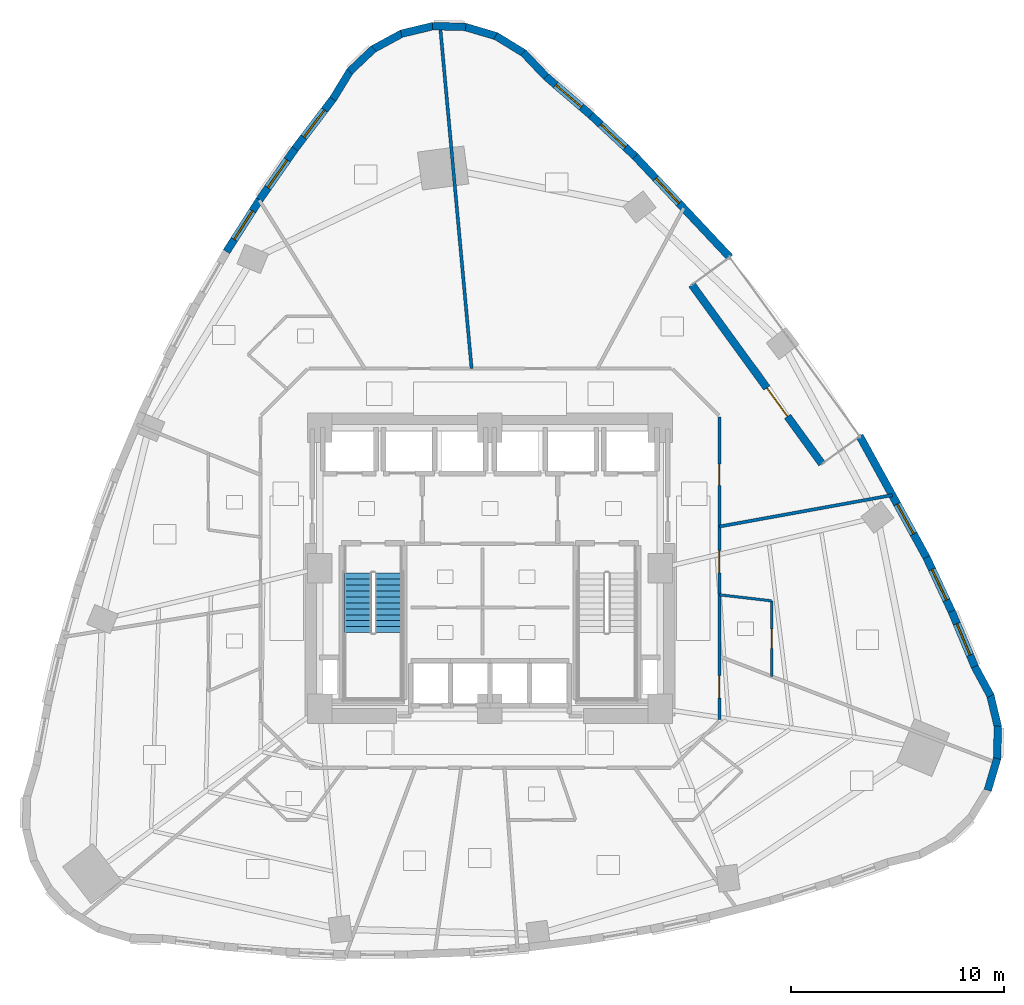
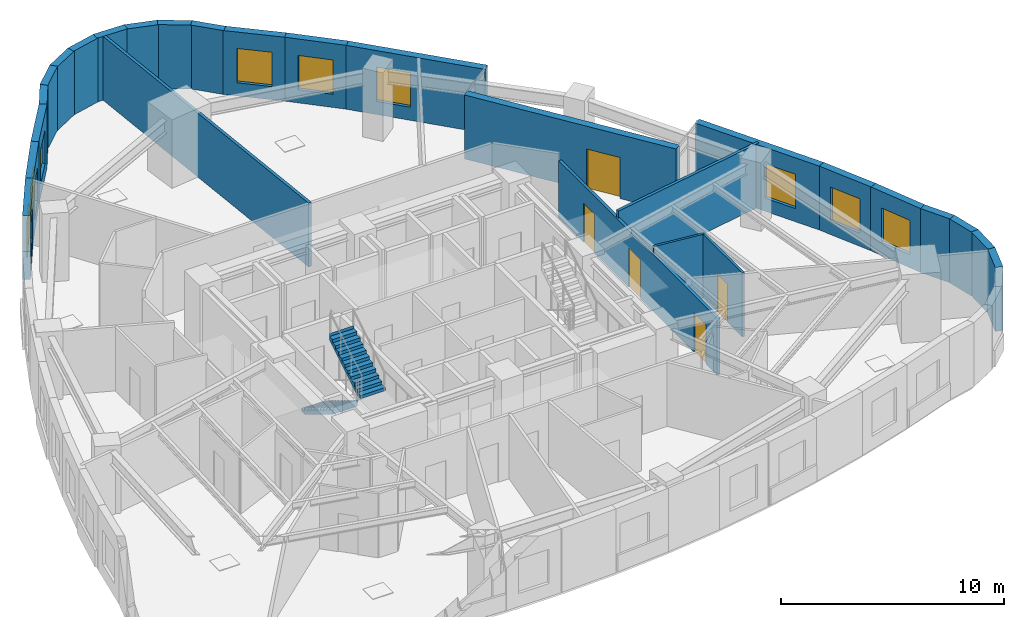
# One storey, part 11 of 15: 27 walls, 9 windows, 5 doors, 2 stair flights, 14 openings, 1 element without a shape of its own.
"""IFC4 building model written with IfcOpenShell, lengths in metres."""

from ifc_helpers import new_model, si_unit, direction, frame, frame_2d, origin, place, context, subcontext, project, spatial, polyline, rectangle, outline, extrude, material, layer, layer_set, type_object, element, fill, aggregate, save


model = new_model("IFC4")

# Units and contexts
model_context = context("Model", 3, precision=1e-05, world=origin(), true_north=direction((0.0, 1.0)))
body_context = subcontext(model_context, "Body", "Model", "MODEL_VIEW")
ifc_project = project(units=[si_unit("LENGTHUNIT", "METRE"), si_unit("AREAUNIT", "SQUARE_METRE"), si_unit("VOLUMEUNIT", "CUBIC_METRE"), si_unit("PLANEANGLEUNIT", "RADIAN"), si_unit("MASSUNIT", "GRAM", prefix="KILO")], contexts=[model_context])

# Site, building, storey
site_placement = place(None, origin())
site = spatial("IfcSite", under=ifc_project, at=site_placement, CompositionType="ELEMENT")
building_placement = place(site_placement, origin())
building = spatial("IfcBuilding", under=site, at=building_placement, Name="Ndelora Gate Hotel", CompositionType="ELEMENT")
storey_placement = place(building_placement, frame((0.0, 0.0, 53.0)))
storey = spatial("IfcBuildingStorey", under=building, at=storey_placement, Name="L12", CompositionType="ELEMENT", Elevation=53.0)

# Wall, opening, door
ifc_material_1 = material(Name="Clay Brick Masonry", Category="masonry")
ifc_layer_1 = layer(ifc_material_1, 0.360107421875)
ifc_layer_set_1 = layer_set([ifc_layer_1], Name="Clay Brick Masonry")
wall_type_1 = type_object("IfcWallType", Name="WL-BRICK-360", PredefinedType="SOLIDWALL", material=ifc_layer_set_1)
wall_1_placement = place(storey_placement, frame((9.484619140625, 13.318603515625, 0.0), z_axis=(0.0, 0.0, 1.0), x_axis=(0.587787785243, -0.809015154073, 0.0)))
wall_1 = element("IfcWall", 1, at=wall_1_placement, inside=storey, type_object=wall_type_1, Name="L12 Sky-Garden Loggia Rear Brick Wall", PredefinedType="SOLIDWALL", context=body_context, shape_type="SweptSolid", body=[
    extrude(rectangle(XDim=10.400146484375, YDim=0.360107421875, at=frame_2d((5.2001953125, 0.0))), origin(), (0.0, 0.0, 1.0), 3.5),
])
opening_1_placement = place(wall_1_placement, frame((6.0, 0.0, 0.0)))
opening_1 = element("IfcOpeningElement", 2, at=opening_1_placement, cuts=wall_1, Name="Opening TD1", PredefinedType="OPENING", context=body_context, shape_type="SweptSolid", body=[
    extrude(rectangle(XDim=1.64990234375, YDim=2.25, at=frame_2d((0.824951171875, 1.125))), frame((0.0, 0.18994140625, 0.0), z_axis=(0.0, -1.0, 0.0), x_axis=(1.0, 0.0, 0.0)), (0.0, 0.0, 1.0), 0.380126953125),
])
ifc_material_2 = material(Name="Architectural Bronze Glazed Door", Category="metal")
door_type_1 = type_object("IfcDoorType", Name="DR-TER-1650", OperationType="DOUBLE_DOOR_SINGLE_SWING", PredefinedType="DOOR", material=ifc_material_2)
door_1_placement = place(opening_1_placement, origin())
door_1 = element("IfcDoor", 3, at=door_1_placement, inside=storey, type_object=door_type_1, Name="L12 Sky-Garden Terrace Double Door TD1", OperationType="DOUBLE_DOOR_SINGLE_SWING", OverallHeight=2.25, OverallWidth=1.64990234375, PredefinedType="DOOR", context=body_context, shape_type="SweptSolid", body=[
    extrude(rectangle(XDim=1.64990234375, YDim=2.25, at=frame_2d((0.824951171875, 1.125))), frame((0.0, 0.02490234375, 0.0), z_axis=(0.0, -1.0, 0.0), x_axis=(1.0, 0.0, 0.0)), (0.0, 0.0, 1.0), 0.050048828125),
])
fill(opening_1, door_1)

# Walls
for number, where, z_axis, x_axis, name in (
    (4, (1.5625, 24.224853515625, 0.0), (0.0, 0.0, 1.0), (0.688285711478, -0.725439714501, 0.0), "L12 Tower Brick Pier-and-Spandrel Wall TWR-1"),
    (5, (0.267333984375, 25.010986328125, 0.0), (0.0, 0.0, 1.0), (0.852578817714, -0.522598660144, 0.0), "L12 Tower Brick Pier-and-Spandrel Wall TWR-2"),
):
    element("IfcWall", number, at=place(storey_placement, frame(where, z_axis=z_axis, x_axis=x_axis)), inside=storey, type_object=wall_type_1, Name=name, PredefinedType="SOLIDWALL", context=body_context, shape_type="SweptSolid", body=[
        extrude(rectangle(XDim=1.56396484375, YDim=0.360107421875, at=frame_2d((0.781982421875, 0.0))), origin(), (0.0, 0.0, 1.0), 3.5),
    ])
wall_2_placement = place(storey_placement, frame((-1.187255859375, 25.43505859375, 0.0), z_axis=(0.0, 0.0, 1.0), x_axis=(0.958804410816, -0.284067072714, 0.0)))
element("IfcWall", 6, at=wall_2_placement, inside=storey, type_object=wall_type_1, Name="L12 Tower Brick Pier-and-Spandrel Wall TWR-3", PredefinedType="SOLIDWALL", context=body_context, shape_type="SweptSolid", body=[
    extrude(rectangle(XDim=1.564208984375, YDim=0.360107421875, at=frame_2d((0.7822265625, 0.0))), origin(), (0.0, 0.0, 1.0), 3.5),
])
wall_3_placement = place(storey_placement, frame((-2.70166015625, 25.46826171875, 0.0), z_axis=(0.0, 0.0, 1.0), x_axis=(0.999656076517, -0.026224581645, 0.0)))
element("IfcWall", 7, at=wall_3_placement, inside=storey, type_object=wall_type_1, Name="L12 Tower Brick Pier-and-Spandrel Wall TWR-4", PredefinedType="SOLIDWALL", context=body_context, shape_type="SweptSolid", body=[
    extrude(rectangle(XDim=1.56396484375, YDim=0.360107421875, at=frame_2d((0.781982421875, 0.0))), origin(), (0.0, 0.0, 1.0), 3.5),
])
for number, where, z_axis, x_axis, name in (
    (8, (-4.17333984375, 25.1083984375, 0.0), (0.0, 0.0, 1.0), (0.972394385461, 0.233343435998, 0.0), "L12 Tower Brick Pier-and-Spandrel Wall TWR-5"),
    (9, (-5.501708984375, 24.379638671875, 0.0), (0.0, 0.0, 1.0), (0.878842213123, 0.477112528062, 0.0), "L12 Tower Brick Pier-and-Spandrel Wall TWR-6"),
):
    element("IfcWall", number, at=place(storey_placement, frame(where, z_axis=z_axis, x_axis=x_axis)), inside=storey, type_object=wall_type_1, Name=name, PredefinedType="SOLIDWALL", context=body_context, shape_type="SweptSolid", body=[
        extrude(rectangle(XDim=1.564208984375, YDim=0.360107421875, at=frame_2d((0.7822265625, 0.0))), origin(), (0.0, 0.0, 1.0), 3.5),
    ])
for number, where, z_axis, x_axis, name in (
    (10, (-6.595947265625, 23.332275390625, 0.0), (0.0, 0.0, 1.0), (0.725439714501, 0.688285711478, 0.0), "L12 Tower Brick Pier-and-Spandrel Wall TWR-7"),
    (11, (-7.382080078125, 22.037109375, 0.0), (0.0, 0.0, 1.0), (0.522598660144, 0.852578817714, 0.0), "L12 Tower Brick Pier-and-Spandrel Wall TWR-8"),
):
    element("IfcWall", number, at=place(storey_placement, frame(where, z_axis=z_axis, x_axis=x_axis)), inside=storey, type_object=wall_type_1, Name=name, PredefinedType="SOLIDWALL", context=body_context, shape_type="SweptSolid", body=[
        extrude(rectangle(XDim=1.56396484375, YDim=0.360107421875, at=frame_2d((0.781982421875, 0.0))), origin(), (0.0, 0.0, 1.0), 3.5),
    ])

# Wall, opening, window
wall_4_placement = place(storey_placement, frame((-9.1611328125, 19.7001953125, 0.0), z_axis=(0.0, 0.0, 1.0), x_axis=(0.605023164489, 0.796207868858, 0.0)))
wall_4 = element("IfcWall", 12, at=wall_4_placement, inside=storey, type_object=wall_type_1, Name="L12 Tower Brick Pier-and-Spandrel Wall TWR-9", PredefinedType="SOLIDWALL", context=body_context, shape_type="SweptSolid", body=[
    extrude(rectangle(XDim=2.98681640625, YDim=0.360107421875, at=frame_2d((1.493408203125, 0.0))), origin(), (0.0, 0.0, 1.0), 3.5),
])
opening_2_placement = place(wall_4_placement, frame((0.693603515625, 0.0, 0.719970703125)))
opening_2 = element("IfcOpeningElement", 13, at=opening_2_placement, cuts=wall_4, Name="Opening W03", PredefinedType="OPENING", context=body_context, shape_type="SweptSolid", body=[
    extrude(rectangle(XDim=1.60009765625, YDim=1.8798828125, at=frame_2d((0.800048828125, 0.93994140625))), frame((0.0, 0.18994140625, 0.0), z_axis=(0.0, -1.0, 0.0), x_axis=(1.0, 0.0, 0.0)), (0.0, 0.0, 1.0), 0.380126953125),
])
ifc_material_3 = material(Name="Insulated Low-E Double Glazing in Bronze Aluminium Frame", Category="aluminium")
window_type_1 = type_object("IfcWindowType", Name="WN-CORN-2100", PartitioningType="SINGLE_PANEL", PredefinedType="WINDOW", material=ifc_material_3)
window_1_placement = place(opening_2_placement, origin())
window_1 = element("IfcWindow", 14, at=window_1_placement, inside=storey, type_object=window_type_1, Name="L12 Deep-Set Brick-Pier Window W03", OverallHeight=1.8798828125, OverallWidth=1.60009765625, PartitioningType="SINGLE_PANEL", PredefinedType="WINDOW", context=body_context, shape_type="SweptSolid", body=[
    extrude(rectangle(XDim=1.60009765625, YDim=1.8798828125, at=frame_2d((0.800048828125, 0.93994140625))), frame((0.0, 0.030029296875, 0.0), z_axis=(0.0, -1.0, 0.0), x_axis=(1.0, 0.0, 0.0)), (0.0, 0.0, 1.0), 0.06005859375),
])
fill(opening_2, window_1)

wall_5_placement = place(storey_placement, frame((-10.82568359375, 17.311279296875, 0.0), z_axis=(0.0, 0.0, 1.0), x_axis=(0.572022980857, 0.820237593245, 0.0)))
wall_5 = element("IfcWall", 15, at=wall_5_placement, inside=storey, type_object=wall_type_1, Name="L12 Tower Brick Pier-and-Spandrel Wall TWR-10", PredefinedType="SOLIDWALL", context=body_context, shape_type="SweptSolid", body=[
    extrude(rectangle(XDim=2.961669921875, YDim=0.360107421875, at=frame_2d((1.48095703125, 0.0))), origin(), (0.0, 0.0, 1.0), 3.5),
])
opening_3_placement = place(wall_5_placement, frame((0.6806640625, 0.0, 0.719970703125)))
opening_3 = element("IfcOpeningElement", 16, at=opening_3_placement, cuts=wall_5, Name="Opening W01", PredefinedType="OPENING", context=body_context, shape_type="SweptSolid", body=[
    extrude(rectangle(XDim=1.60009765625, YDim=1.8798828125, at=frame_2d((0.800048828125, 0.93994140625))), frame((0.0, 0.18994140625, 0.0), z_axis=(0.0, -1.0, 0.0), x_axis=(1.0, 0.0, 0.0)), (0.0, 0.0, 1.0), 0.380126953125),
])
window_type_2 = type_object("IfcWindowType", Name="WN-DEEP-1600", PartitioningType="SINGLE_PANEL", PredefinedType="WINDOW", material=ifc_material_3)
window_2_placement = place(opening_3_placement, origin())
window_2 = element("IfcWindow", 17, at=window_2_placement, inside=storey, type_object=window_type_2, Name="L12 Deep-Set Brick-Pier Window W01", OverallHeight=1.8798828125, OverallWidth=1.60009765625, PartitioningType="SINGLE_PANEL", PredefinedType="WINDOW", context=body_context, shape_type="SweptSolid", body=[
    extrude(rectangle(XDim=1.60009765625, YDim=1.8798828125, at=frame_2d((0.800048828125, 0.93994140625))), frame((0.0, 0.030029296875, 0.0), z_axis=(0.0, -1.0, 0.0), x_axis=(1.0, 0.0, 0.0)), (0.0, 0.0, 1.0), 0.06005859375),
])
fill(opening_3, window_2)

wall_6_placement = place(storey_placement, frame((-12.37841796875, 14.872802734375, 0.0), z_axis=(0.0, 0.0, 1.0), x_axis=(0.537417887212, 0.843316082204, 0.0)))
wall_6 = element("IfcWall", 18, at=wall_6_placement, inside=storey, type_object=wall_type_1, Name="L12 Tower Brick Pier-and-Spandrel Wall TWR-11", PredefinedType="SOLIDWALL", context=body_context, shape_type="SweptSolid", body=[
    extrude(rectangle(XDim=2.94091796875, YDim=0.360107421875, at=frame_2d((1.470458984375, 0.0))), origin(), (0.0, 0.0, 1.0), 3.5),
])
opening_4_placement = place(wall_6_placement, frame((0.67041015625, 0.0, 0.719970703125)))
opening_4 = element("IfcOpeningElement", 19, at=opening_4_placement, cuts=wall_6, Name="Opening W01", PredefinedType="OPENING", context=body_context, shape_type="SweptSolid", body=[
    extrude(rectangle(XDim=1.60009765625, YDim=1.8798828125, at=frame_2d((0.800048828125, 0.93994140625))), frame((0.0, 0.18994140625, 0.0), z_axis=(0.0, -1.0, 0.0), x_axis=(1.0, 0.0, 0.0)), (0.0, 0.0, 1.0), 0.380126953125),
])
window_3_placement = place(opening_4_placement, origin())
window_3 = element("IfcWindow", 20, at=window_3_placement, inside=storey, type_object=window_type_2, Name="L12 Deep-Set Brick-Pier Window W01", OverallHeight=1.8798828125, OverallWidth=1.60009765625, PartitioningType="SINGLE_PANEL", PredefinedType="WINDOW", context=body_context, shape_type="SweptSolid", body=[
    extrude(rectangle(XDim=1.60009765625, YDim=1.8798828125, at=frame_2d((0.800048828125, 0.93994140625))), frame((0.0, 0.030029296875, 0.0), z_axis=(0.0, -1.0, 0.0), x_axis=(1.0, 0.0, 0.0)), (0.0, 0.0, 1.0), 0.06005859375),
])
fill(opening_4, window_3)

# Walls
for number, where, z_axis, x_axis, name in (
    (21, (23.8310546875, -8.93994140625, 0.0), (0.0, 0.0, 1.0), (-0.284067072714, -0.958804410816, 0.0), "L12 Tower Brick Pier-and-Spandrel Wall TWR-45"),
    (22, (23.8642578125, -7.42529296875, 0.0), (0.0, 0.0, 1.0), (-0.026220490068, -0.999656183846, 0.0), "L12 Tower Brick Pier-and-Spandrel Wall TWR-46"),
    (23, (23.50439453125, -5.95361328125, 0.0), (0.0, 0.0, 1.0), (0.233343435998, -0.972394385461, 0.0), "L12 Tower Brick Pier-and-Spandrel Wall TWR-47"),
):
    element("IfcWall", number, at=place(storey_placement, frame(where, z_axis=z_axis, x_axis=x_axis)), inside=storey, type_object=wall_type_1, Name=name, PredefinedType="SOLIDWALL", context=body_context, shape_type="SweptSolid", body=[
        extrude(rectangle(XDim=1.564208984375, YDim=0.360107421875, at=frame_2d((0.7822265625, 0.0))), origin(), (0.0, 0.0, 1.0), 3.5),
    ])
wall_7_placement = place(storey_placement, frame((22.77587890625, -4.62548828125, 0.0), z_axis=(0.0, 0.0, 1.0), x_axis=(0.477057413098, -0.878872132115, 0.0)))
element("IfcWall", 24, at=wall_7_placement, inside=storey, type_object=wall_type_1, Name="L12 Tower Brick Pier-and-Spandrel Wall TWR-48", PredefinedType="SOLIDWALL", context=body_context, shape_type="SweptSolid", body=[
    extrude(rectangle(XDim=1.56396484375, YDim=0.360107421875, at=frame_2d((0.781982421875, 0.0))), origin(), (0.0, 0.0, 1.0), 3.5),
])

# Wall, opening, window
wall_8_placement = place(storey_placement, frame((21.688720703125, -2.023193359375, 0.0), z_axis=(0.0, 0.0, 1.0), x_axis=(0.386287899082, -0.922378262441, 0.0)))
wall_8 = element("IfcWall", 25, at=wall_8_placement, inside=storey, type_object=wall_type_1, Name="L12 Tower Brick Pier-and-Spandrel Wall TWR-49", PredefinedType="SOLIDWALL", context=body_context, shape_type="SweptSolid", body=[
    extrude(rectangle(XDim=2.869873046875, YDim=0.360107421875, at=frame_2d((1.43505859375, 0.0))), origin(), (0.0, 0.0, 1.0), 3.5),
])
opening_5_placement = place(wall_8_placement, frame((0.635009765625, 0.0, 0.719970703125)))
opening_5 = element("IfcOpeningElement", 26, at=opening_5_placement, cuts=wall_8, Name="Opening W03", PredefinedType="OPENING", context=body_context, shape_type="SweptSolid", body=[
    extrude(rectangle(XDim=1.60009765625, YDim=1.8798828125, at=frame_2d((0.800048828125, 0.93994140625))), frame((0.0, 0.18994140625, 0.0), z_axis=(0.0, -1.0, 0.0), x_axis=(1.0, 0.0, 0.0)), (0.0, 0.0, 1.0), 0.380126953125),
])
window_4_placement = place(opening_5_placement, origin())
window_4 = element("IfcWindow", 27, at=window_4_placement, inside=storey, type_object=window_type_1, Name="L12 Deep-Set Brick-Pier Window W03", OverallHeight=1.8798828125, OverallWidth=1.60009765625, PartitioningType="SINGLE_PANEL", PredefinedType="WINDOW", context=body_context, shape_type="SweptSolid", body=[
    extrude(rectangle(XDim=1.60009765625, YDim=1.8798828125, at=frame_2d((0.800048828125, 0.93994140625))), frame((0.0, 0.030029296875, 0.0), z_axis=(0.0, -1.0, 0.0), x_axis=(1.0, 0.0, 0.0)), (0.0, 0.0, 1.0), 0.06005859375),
])
fill(opening_5, window_4)

wall_9_placement = place(storey_placement, frame((20.50732421875, 0.511474609375, 0.0), z_axis=(0.0, 0.0, 1.0), x_axis=(0.422134095938, -0.906533399851, 0.0)))
wall_9 = element("IfcWall", 28, at=wall_9_placement, inside=storey, type_object=wall_type_1, Name="L12 Tower Brick Pier-and-Spandrel Wall TWR-50", PredefinedType="SOLIDWALL", context=body_context, shape_type="SweptSolid", body=[
    extrude(rectangle(XDim=2.8466796875, YDim=0.360107421875, at=frame_2d((1.42333984375, 0.0))), origin(), (0.0, 0.0, 1.0), 3.5),
])
opening_6_placement = place(wall_9_placement, frame((0.623291015625, 0.0, 0.719970703125)))
opening_6 = element("IfcOpeningElement", 29, at=opening_6_placement, cuts=wall_9, Name="Opening W01", PredefinedType="OPENING", context=body_context, shape_type="SweptSolid", body=[
    extrude(rectangle(XDim=1.60009765625, YDim=1.8798828125, at=frame_2d((0.800048828125, 0.93994140625))), frame((0.0, 0.18994140625, 0.0), z_axis=(0.0, -1.0, 0.0), x_axis=(1.0, 0.0, 0.0)), (0.0, 0.0, 1.0), 0.380126953125),
])
window_5_placement = place(opening_6_placement, origin())
window_5 = element("IfcWindow", 30, at=window_5_placement, inside=storey, type_object=window_type_2, Name="L12 Deep-Set Brick-Pier Window W01", OverallHeight=1.8798828125, OverallWidth=1.60009765625, PartitioningType="SINGLE_PANEL", PredefinedType="WINDOW", context=body_context, shape_type="SweptSolid", body=[
    extrude(rectangle(XDim=1.60009765625, YDim=1.8798828125, at=frame_2d((0.800048828125, 0.93994140625))), frame((0.0, 0.030029296875, 0.0), z_axis=(0.0, -1.0, 0.0), x_axis=(1.0, 0.0, 0.0)), (0.0, 0.0, 1.0), 0.06005859375),
])
fill(opening_6, window_5)

wall_10_placement = place(storey_placement, frame((17.365478515625, 6.2197265625, 0.0), z_axis=(0.0, 0.0, 1.0), x_axis=(0.481970134715, -0.876187644995, 0.0)))
wall_10 = element("IfcWall", 31, at=wall_10_placement, inside=storey, type_object=wall_type_1, Name="L12 Tower Brick Pier-and-Spandrel Wall TWR-51", PredefinedType="SOLIDWALL", context=body_context, shape_type="SweptSolid", body=[
    extrude(rectangle(XDim=6.56591796875, YDim=0.360107421875, at=frame_2d((3.282958984375, 0.0))), origin(), (0.0, 0.0, 1.0), 3.5),
])
opening_7_placement = place(wall_10_placement, frame((3.659912109375, 0.0, 0.719970703125)))
opening_7 = element("IfcOpeningElement", 32, at=opening_7_placement, cuts=wall_10, Name="Opening W01", PredefinedType="OPENING", context=body_context, shape_type="SweptSolid", body=[
    extrude(rectangle(XDim=1.60009765625, YDim=1.8798828125, at=frame_2d((0.800048828125, 0.93994140625))), frame((0.0, 0.18994140625, 0.0), z_axis=(0.0, -1.0, 0.0), x_axis=(1.0, 0.0, 0.0)), (0.0, 0.0, 1.0), 0.380126953125),
])
window_6_placement = place(opening_7_placement, origin())
window_6 = element("IfcWindow", 33, at=window_6_placement, inside=storey, type_object=window_type_2, Name="L12 Deep-Set Brick-Pier Window W01", OverallHeight=1.8798828125, OverallWidth=1.60009765625, PartitioningType="SINGLE_PANEL", PredefinedType="WINDOW", context=body_context, shape_type="SweptSolid", body=[
    extrude(rectangle(XDim=1.60009765625, YDim=1.8798828125, at=frame_2d((0.800048828125, 0.93994140625))), frame((0.0, 0.030029296875, 0.0), z_axis=(0.0, -1.0, 0.0), x_axis=(1.0, 0.0, 0.0)), (0.0, 0.0, 1.0), 0.06005859375),
])
fill(opening_7, window_6)

wall_11_placement = place(storey_placement, frame((6.7880859375, 19.380859375, 0.0), z_axis=(0.0, 0.0, 1.0), x_axis=(0.684367736507, -0.729137025002, 0.0)))
wall_11 = element("IfcWall", 34, at=wall_11_placement, inside=storey, type_object=wall_type_1, Name="L12 Tower Brick Pier-and-Spandrel Wall TWR-56", PredefinedType="SOLIDWALL", context=body_context, shape_type="SweptSolid", body=[
    extrude(rectangle(XDim=6.565673828125, YDim=0.360107421875, at=frame_2d((3.28271484375, 0.0))), origin(), (0.0, 0.0, 1.0), 3.5),
])
opening_8_placement = place(wall_11_placement, frame((1.4599609375, 0.0, 0.719970703125)))
opening_8 = element("IfcOpeningElement", 35, at=opening_8_placement, cuts=wall_11, Name="Opening W01", PredefinedType="OPENING", context=body_context, shape_type="SweptSolid", body=[
    extrude(rectangle(XDim=1.60009765625, YDim=1.8798828125, at=frame_2d((0.800048828125, 0.93994140625))), frame((0.0, 0.18994140625, 0.0), z_axis=(0.0, -1.0, 0.0), x_axis=(1.0, 0.0, 0.0)), (0.0, 0.0, 1.0), 0.380126953125),
])
window_7_placement = place(opening_8_placement, origin())
window_7 = element("IfcWindow", 36, at=window_7_placement, inside=storey, type_object=window_type_2, Name="L12 Deep-Set Brick-Pier Window W01", OverallHeight=1.8798828125, OverallWidth=1.60009765625, PartitioningType="SINGLE_PANEL", PredefinedType="WINDOW", context=body_context, shape_type="SweptSolid", body=[
    extrude(rectangle(XDim=1.60009765625, YDim=1.8798828125, at=frame_2d((0.800048828125, 0.93994140625))), frame((0.0, 0.030029296875, 0.0), z_axis=(0.0, -1.0, 0.0), x_axis=(1.0, 0.0, 0.0)), (0.0, 0.0, 1.0), 0.06005859375),
])
fill(opening_8, window_7)

wall_12_placement = place(storey_placement, frame((4.74072265625, 21.28564453125, 0.0), z_axis=(0.0, 0.0, 1.0), x_axis=(0.731750871634, -0.68157219857, 0.0)))
wall_12 = element("IfcWall", 37, at=wall_12_placement, inside=storey, type_object=wall_type_1, Name="L12 Tower Brick Pier-and-Spandrel Wall TWR-57", PredefinedType="SOLIDWALL", context=body_context, shape_type="SweptSolid", body=[
    extrude(rectangle(XDim=2.84619140625, YDim=0.360107421875, at=frame_2d((1.423095703125, 0.0))), origin(), (0.0, 0.0, 1.0), 3.5),
])
opening_9_placement = place(wall_12_placement, frame((0.623291015625, 0.0, 0.719970703125)))
opening_9 = element("IfcOpeningElement", 38, at=opening_9_placement, cuts=wall_12, Name="Opening W03", PredefinedType="OPENING", context=body_context, shape_type="SweptSolid", body=[
    extrude(rectangle(XDim=1.60009765625, YDim=1.8798828125, at=frame_2d((0.800048828125, 0.93994140625))), frame((0.0, 0.18994140625, 0.0), z_axis=(0.0, -1.0, 0.0), x_axis=(1.0, 0.0, 0.0)), (0.0, 0.0, 1.0), 0.380126953125),
])
window_8_placement = place(opening_9_placement, origin())
window_8 = element("IfcWindow", 39, at=window_8_placement, inside=storey, type_object=window_type_1, Name="L12 Deep-Set Brick-Pier Window W03", OverallHeight=1.8798828125, OverallWidth=1.60009765625, PartitioningType="SINGLE_PANEL", PredefinedType="WINDOW", context=body_context, shape_type="SweptSolid", body=[
    extrude(rectangle(XDim=1.60009765625, YDim=1.8798828125, at=frame_2d((0.800048828125, 0.93994140625))), frame((0.0, 0.030029296875, 0.0), z_axis=(0.0, -1.0, 0.0), x_axis=(1.0, 0.0, 0.0)), (0.0, 0.0, 1.0), 0.06005859375),
])
fill(opening_9, window_8)

wall_13_placement = place(storey_placement, frame((2.602783203125, 23.124755859375, 0.0), z_axis=(0.0, 0.0, 1.0), x_axis=(0.757915995352, -0.652352162554, 0.0)))
wall_13 = element("IfcWall", 40, at=wall_13_placement, inside=storey, type_object=wall_type_1, Name="L12 Tower Brick Pier-and-Spandrel Wall TWR-58", PredefinedType="SOLIDWALL", context=body_context, shape_type="SweptSolid", body=[
    extrude(rectangle(XDim=2.8701171875, YDim=0.360107421875, at=frame_2d((1.43505859375, 0.0))), origin(), (0.0, 0.0, 1.0), 3.5),
])
opening_10_placement = place(wall_13_placement, frame((0.635009765625, 0.0, 0.719970703125)))
opening_10 = element("IfcOpeningElement", 41, at=opening_10_placement, cuts=wall_13, Name="Opening W01", PredefinedType="OPENING", context=body_context, shape_type="SweptSolid", body=[
    extrude(rectangle(XDim=1.60009765625, YDim=1.8798828125, at=frame_2d((0.800048828125, 0.93994140625))), frame((0.0, 0.18994140625, 0.0), z_axis=(0.0, -1.0, 0.0), x_axis=(1.0, 0.0, 0.0)), (0.0, 0.0, 1.0), 0.380126953125),
])
window_9_placement = place(opening_10_placement, origin())
window_9 = element("IfcWindow", 42, at=window_9_placement, inside=storey, type_object=window_type_2, Name="L12 Deep-Set Brick-Pier Window W01", OverallHeight=1.8798828125, OverallWidth=1.60009765625, PartitioningType="SINGLE_PANEL", PredefinedType="WINDOW", context=body_context, shape_type="SweptSolid", body=[
    extrude(rectangle(XDim=1.60009765625, YDim=1.8798828125, at=frame_2d((0.800048828125, 0.93994140625))), frame((0.0, 0.030029296875, 0.0), z_axis=(0.0, -1.0, 0.0), x_axis=(1.0, 0.0, 0.0)), (0.0, 0.0, 1.0), 0.06005859375),
])
fill(opening_10, window_9)

# Wall, openings, doors
ifc_material_4 = material(Name="Fire-Rated Gypsum Stud Partition", Category="gypsum")
ifc_layer_2 = layer(ifc_material_4, 0.14990234375)
ifc_layer_set_2 = layer_set([ifc_layer_2], Name="Fire-Rated Gypsum Stud Partition")
wall_type_2 = type_object("IfcWallType", Name="WL-PART-150", PredefinedType="PARTITIONING", material=ifc_layer_set_2)
wall_14_placement = place(storey_placement, frame((10.780029296875, 7.110107421875, 0.0), z_axis=(0.0, 0.0, 1.0), x_axis=(0.0, -1.0, 0.0)))
wall_14 = element("IfcWall", 43, at=wall_14_placement, inside=storey, type_object=wall_type_2, Name="L12 Interior Wall IW-5", PredefinedType="PARTITIONING", context=body_context, shape_type="SweptSolid", body=[
    extrude(rectangle(XDim=14.22021484375, YDim=0.14990234375, at=frame_2d((7.110107421875, 0.0))), origin(), (0.0, 0.0, 1.0), 3.1201171875),
])
opening_11_placement = place(wall_14_placement, frame((2.216796875, 0.0, 0.0)))
opening_11 = element("IfcOpeningElement", 44, at=opening_11_placement, cuts=wall_14, Name="Opening D01", PredefinedType="OPENING", context=body_context, shape_type="SweptSolid", body=[
    extrude(rectangle(XDim=1.0, YDim=2.14990234375, at=frame_2d((0.5, 1.074951171875))), frame((0.0, 0.0849609375, 0.0), z_axis=(0.0, -1.0, 0.0), x_axis=(1.0, 0.0, 0.0)), (0.0, 0.0, 1.0), 0.169921875),
])
opening_12_placement = place(wall_14_placement, frame((6.27587890625, 0.0, 0.0)))
opening_12 = element("IfcOpeningElement", 45, at=opening_12_placement, cuts=wall_14, Name="Opening D07", PredefinedType="OPENING", context=body_context, shape_type="SweptSolid", body=[
    extrude(rectangle(XDim=1.06005859375, YDim=2.14990234375, at=frame_2d((0.530029296875, 1.074951171875))), frame((0.0, 0.0849609375, 0.0), z_axis=(0.0, -1.0, 0.0), x_axis=(1.0, 0.0, 0.0)), (0.0, 0.0, 1.0), 0.169921875),
])
opening_13_placement = place(wall_14_placement, frame((12.156005859375, 0.0, 0.0)))
opening_13 = element("IfcOpeningElement", 46, at=opening_13_placement, cuts=wall_14, Name="Opening D07", PredefinedType="OPENING", context=body_context, shape_type="SweptSolid", body=[
    extrude(rectangle(XDim=1.06005859375, YDim=2.14990234375, at=frame_2d((0.530029296875, 1.074951171875))), frame((0.0, 0.0849609375, 0.0), z_axis=(0.0, -1.0, 0.0), x_axis=(1.0, 0.0, 0.0)), (0.0, 0.0, 1.0), 0.169921875),
])
ifc_material_5 = material(Name="Acoustic Hardwood Guest Entrance Door", Category="wood")
door_type_2 = type_object("IfcDoorType", Name="DR-COR-1000", OperationType="SINGLE_SWING_LEFT", PredefinedType="DOOR", material=ifc_material_5)
door_2_placement = place(opening_11_placement, origin())
door_2 = element("IfcDoor", 47, at=door_2_placement, inside=storey, type_object=door_type_2, Name="L12 Sky Garden Tea Dining Room Entrance Door", OperationType="SINGLE_SWING_LEFT", OverallHeight=2.14990234375, OverallWidth=1.0, PredefinedType="DOOR", context=body_context, shape_type="SweptSolid", body=[
    extrude(rectangle(XDim=1.0, YDim=2.14990234375, at=frame_2d((0.5, 1.074951171875))), frame((0.0, 0.02490234375, 0.0), z_axis=(0.0, -1.0, 0.0), x_axis=(1.0, 0.0, 0.0)), (0.0, 0.0, 1.0), 0.050048828125),
])
fill(opening_11, door_2)
ifc_material_6 = material(Name="Diplomatic Suite Acoustic Entrance Door", Category="wood")
door_type_3 = type_object("IfcDoorType", Name="DR-SUITE-1060", OperationType="SINGLE_SWING_LEFT", PredefinedType="DOOR", material=ifc_material_6)
door_3_placement = place(opening_12_placement, origin())
door_3 = element("IfcDoor", 48, at=door_3_placement, inside=storey, type_object=door_type_3, Name="L12 Twin Junior Suite 1503 Entrance Door", OperationType="SINGLE_SWING_LEFT", OverallHeight=2.14990234375, OverallWidth=1.06005859375, PredefinedType="DOOR", context=body_context, shape_type="SweptSolid", body=[
    extrude(rectangle(XDim=1.06005859375, YDim=2.14990234375, at=frame_2d((0.530029296875, 1.074951171875))), frame((0.0, 0.02490234375, 0.0), z_axis=(0.0, -1.0, 0.0), x_axis=(1.0, 0.0, 0.0)), (0.0, 0.0, 1.0), 0.050048828125),
])
fill(opening_12, door_3)
door_4_placement = place(opening_13_placement, origin())
door_4 = element("IfcDoor", 49, at=door_4_placement, inside=storey, type_object=door_type_3, Name="L12 Deluxe King Junior Suite 1502 Entrance Door", OperationType="SINGLE_SWING_RIGHT", OverallHeight=2.14990234375, OverallWidth=1.06005859375, PredefinedType="DOOR", context=body_context, shape_type="SweptSolid", body=[
    extrude(rectangle(XDim=1.06005859375, YDim=2.14990234375, at=frame_2d((0.530029296875, 1.074951171875))), frame((0.0, 0.02490234375, 0.0), z_axis=(0.0, -1.0, 0.0), x_axis=(1.0, 0.0, 0.0)), (0.0, 0.0, 1.0), 0.050048828125),
])
fill(opening_13, door_4)

# Walls
wall_15_placement = place(storey_placement, frame((10.780029296875, 1.956298828125, 0.0), z_axis=(0.0, 0.0, 1.0), x_axis=(0.983928549694, 0.178562619542, 0.0)))
element("IfcWall", 50, at=wall_15_placement, inside=storey, type_object=wall_type_2, Name="L12 Interior Wall IW-5", PredefinedType="PARTITIONING", context=body_context, shape_type="SweptSolid", body=[
    extrude(rectangle(XDim=8.252685546875, YDim=0.14990234375, at=frame_2d((4.12646484375, 0.0))), origin(), (0.0, 0.0, 1.0), 3.5),
])
wall_16_placement = place(storey_placement, frame((-0.86279296875, 9.3798828125, 0.0), z_axis=(0.0, 0.0, 1.0), x_axis=(-0.091567710563, 0.99579885237, 0.0)))
element("IfcWall", 51, at=wall_16_placement, inside=storey, type_object=wall_type_2, Name="L12 Interior Wall IW-5", PredefinedType="PARTITIONING", context=body_context, shape_type="SweptSolid", body=[
    extrude(rectangle(XDim=16.146728515625, YDim=0.14990234375, at=frame_2d((8.0732421875, 0.0))), origin(), (0.0, 0.0, 1.0), 3.5),
])
ifc_material_7 = material(Name="Moisture-Resistant Bathroom Tile Partition", Category="gypsum")
ifc_layer_3 = layer(ifc_material_7, 0.1201171875)
ifc_layer_set_3 = layer_set([ifc_layer_3], Name="Moisture-Resistant Bathroom Tile Partition")
wall_type_3 = type_object("IfcWallType", Name="WL-WET-120", PredefinedType="PARTITIONING", material=ifc_layer_set_3)
wall_17_placement = place(storey_placement, frame((13.22998046875, -1.53515625, 0.0), z_axis=(0.0, 0.0, 1.0), x_axis=(-0.993328492048, 0.115319152291, 0.0)))
element("IfcWall", 52, at=wall_17_placement, inside=storey, type_object=wall_type_3, Name="L12 Interior Wall IW-7", PredefinedType="PARTITIONING", context=body_context, shape_type="SweptSolid", body=[
    extrude(rectangle(XDim=2.46630859375, YDim=0.1201171875, at=frame_2d((1.233154296875, 0.0))), origin(), (0.0, 0.0, 1.0), 3.5),
])

# Wall, opening, door
wall_18_placement = place(storey_placement, frame((13.22998046875, -1.53515625, 0.0), z_axis=(0.0, 0.0, 1.0), x_axis=(0.0, -1.0, 0.0)))
wall_18 = element("IfcWall", 53, at=wall_18_placement, inside=storey, type_object=wall_type_3, Name="L12 Interior Wall IW-7", PredefinedType="PARTITIONING", context=body_context, shape_type="SweptSolid", body=[
    extrude(rectangle(XDim=3.54833984375, YDim=0.1201171875, at=frame_2d((1.774169921875, 0.0))), origin(), (0.0, 0.0, 1.0), 3.5),
])
opening_14_placement = place(wall_18_placement, frame((1.314208984375, 0.0, 0.0)))
opening_14 = element("IfcOpeningElement", 54, at=opening_14_placement, cuts=wall_18, Name="Opening D03", PredefinedType="OPENING", context=body_context, shape_type="SweptSolid", body=[
    extrude(rectangle(XDim=0.919921875, YDim=2.10009765625, at=frame_2d((0.4599609375, 1.050048828125))), frame((0.0, 0.070068359375, 0.0), z_axis=(0.0, -1.0, 0.0), x_axis=(1.0, 0.0, 0.0)), (0.0, 0.0, 1.0), 0.14013671875),
])
ifc_material_8 = material(Name="Moisture-Resistant Hardwood En-Suite Door", Category="wood")
door_type_4 = type_object("IfcDoorType", Name="DR-BATH-920", OperationType="SINGLE_SWING_LEFT", PredefinedType="DOOR", material=ifc_material_8)
door_5_placement = place(opening_14_placement, origin())
door_5 = element("IfcDoor", 55, at=door_5_placement, inside=storey, type_object=door_type_4, Name="L12 En-suite Bathroom 1503 Door", OperationType="SINGLE_SWING_RIGHT", OverallHeight=2.10009765625, OverallWidth=0.919921875, PredefinedType="DOOR", context=body_context, shape_type="SweptSolid", body=[
    extrude(rectangle(XDim=0.919921875, YDim=2.10009765625, at=frame_2d((0.4599609375, 1.050048828125))), frame((0.0, 0.02490234375, 0.0), z_axis=(0.0, -1.0, 0.0), x_axis=(1.0, 0.0, 0.0)), (0.0, 0.0, 1.0), 0.050048828125),
])
fill(opening_14, door_5)

# Stair, stair flights
ifc_material_9 = material(Name="Precast concrete C40/50", Category="concrete")
stair_type = type_object("IfcStairType", Name="STR-DOG-CORE", PredefinedType="HALF_TURN_STAIR", material=ifc_material_9)
stair_placement = place(storey_placement, origin())
stair = element("IfcStair", 56, at=stair_placement, inside=storey, type_object=stair_type, Name="L12 Protected Core Exit Stair ST4", PredefinedType="HALF_TURN_STAIR")
stair_flight_type = type_object("IfcStairFlightType", Name="STF-PRECAST", PredefinedType="STRAIGHT", material=ifc_material_9)
stair_flight_1_placement = place(storey_placement, frame((-6.2099609375, -0.22998046875, 0.0), z_axis=(0.0, 0.0, 1.0), x_axis=(0.0, -1.0, 0.0)))
stair_flight_1 = element("IfcStairFlight", 57, at=stair_flight_1_placement, type_object=stair_flight_type, Name="ST4 flight 1", NumberOfRisers=11, NumberOfTreads=10, PredefinedType="STRAIGHT", RiserHeight=0.170454545, TreadLength=0.28, context=body_context, shape_type="SweptSolid", body=[
    extrude(outline(polyline([(-0.00048828125, 0.0), (-0.00048828125, 0.17041015625), (0.0, 0.17041015625), (0.280029296875, 0.17041015625), (0.280029296875, 0.3408203125), (0.56005859375, 0.3408203125), (0.56005859375, 0.511474609375), (0.840087890625, 0.511474609375), (0.840087890625, 0.681884765625), (1.1201171875, 0.681884765625), (1.1201171875, 0.852294921875), (1.39990234375, 0.852294921875), (1.39990234375, 1.022705078125), (1.679931640625, 1.022705078125), (1.679931640625, 1.193115234375), (1.9599609375, 1.193115234375), (1.9599609375, 1.363525390625), (2.239990234375, 1.363525390625), (2.239990234375, 1.5341796875), (2.52001953125, 1.5341796875), (2.52001953125, 1.70458984375), (2.800048828125, 1.70458984375), (2.800048828125, 1.875), (2.800537109375, 1.875), (2.800537109375, 1.695068359375), (2.800048828125, 1.529052734375), (0.288330078125, 0.0), (-0.00048828125, 0.0)])), frame((0.0, 0.64013671875, 0.0), z_axis=(0.0, -1.0, 0.0), x_axis=(1.0, 0.0, 0.0)), (0.0, 0.0, 1.0), 1.280029296875),
])
stair_flight_2_placement = place(storey_placement, frame((-4.77001953125, -3.030029296875, 1.875), z_axis=(0.0, 0.0, 1.0), x_axis=(0.0, 1.0, 0.0)))
stair_flight_2 = element("IfcStairFlight", 58, at=stair_flight_2_placement, type_object=stair_flight_type, Name="ST4 flight 2", NumberOfRisers=11, NumberOfTreads=10, PredefinedType="STRAIGHT", RiserHeight=0.170454545, TreadLength=0.28, context=body_context, shape_type="SweptSolid", body=[
    extrude(outline(polyline([(-0.00048828125, 0.0), (-0.00048828125, 0.17041015625), (0.0, 0.17041015625), (0.280029296875, 0.17041015625), (0.280029296875, 0.3408203125), (0.56005859375, 0.3408203125), (0.56005859375, 0.511474609375), (0.840087890625, 0.511474609375), (0.840087890625, 0.681884765625), (1.1201171875, 0.681884765625), (1.1201171875, 0.852294921875), (1.39990234375, 0.852294921875), (1.39990234375, 1.022705078125), (1.679931640625, 1.022705078125), (1.679931640625, 1.193115234375), (1.9599609375, 1.193115234375), (1.9599609375, 1.363525390625), (2.239990234375, 1.363525390625), (2.239990234375, 1.5341796875), (2.52001953125, 1.5341796875), (2.52001953125, 1.70458984375), (2.800048828125, 1.70458984375), (2.800048828125, 1.875), (2.800537109375, 1.875), (2.800537109375, 1.695068359375), (2.800048828125, 1.529052734375), (0.288330078125, 0.0), (-0.00048828125, 0.0)])), frame((0.0, 0.64013671875, 0.0), z_axis=(0.0, -1.0, 0.0), x_axis=(1.0, 0.0, 0.0)), (0.0, 0.0, 1.0), 1.280029296875),
])
aggregate(stair, [stair_flight_1, stair_flight_2])

save(model, "model.ifc")
